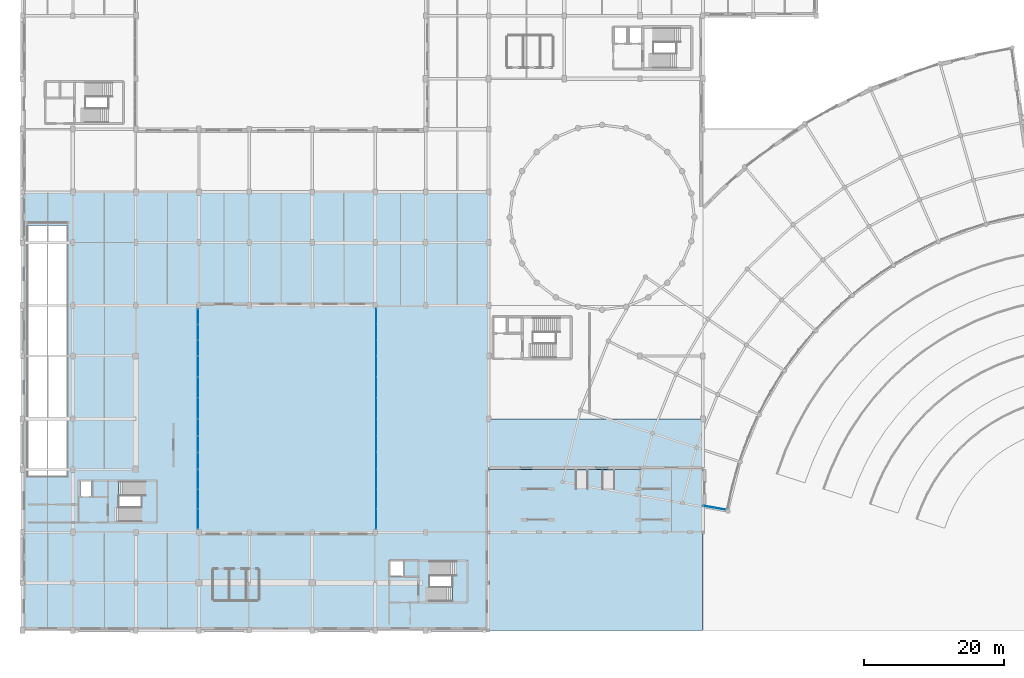
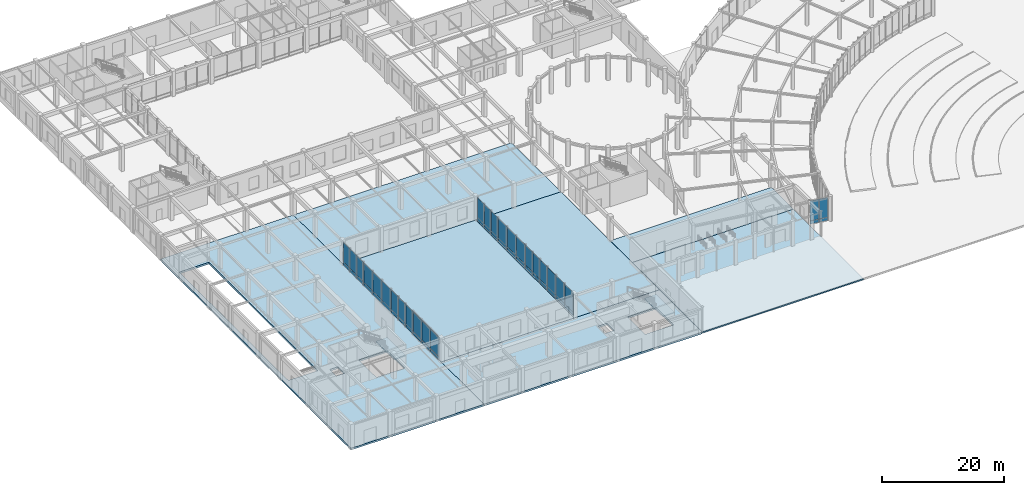
# One storey, part 39 of 64: 52 plates, 9 slabs, 11 elements without a shape of their own.
"""IFC4 building model written with IfcOpenShell, lengths in metres."""

from ifc_helpers import new_model, si_unit, direction, frame, frame_2d, origin, place, context, subcontext, project, spatial, polyline, rectangle, outline, extrude, material, layer, layer_set, type_object, element, aggregate, save


model = new_model("IFC4")

# Units and contexts
model_context = context("Model", 3, precision=1e-05, world=origin(), true_north=direction((0.0, 1.0)))
body_context = subcontext(model_context, "Body", "Model", "MODEL_VIEW")
ifc_project = project(units=[si_unit("LENGTHUNIT", "METRE"), si_unit("AREAUNIT", "SQUARE_METRE"), si_unit("VOLUMEUNIT", "CUBIC_METRE"), si_unit("PLANEANGLEUNIT", "RADIAN"), si_unit("MASSUNIT", "GRAM", prefix="KILO")], contexts=[model_context])

# Site, building, storey
site_placement = place(None, origin())
site = spatial("IfcSite", under=ifc_project, at=site_placement, CompositionType="ELEMENT")
building_placement = place(site_placement, origin())
building = spatial("IfcBuilding", under=site, at=building_placement, Name="Clarverna Civic Hall", CompositionType="ELEMENT")
storey_placement = place(building_placement, origin())
storey = spatial("IfcBuildingStorey", under=building, at=storey_placement, Name="L00", CompositionType="ELEMENT", Elevation=0.0)

# Curtain wall, plates
ifc_material_1 = material(Name="Anodised Bronze Architectural Aluminium", Category="aluminium")
curtain_wall_type_1 = type_object("IfcCurtainWallType", Name="CW-03", PredefinedType="USERDEFINED", material=ifc_material_1)
curtain_wall_1_placement = place(storey_placement, origin())
curtain_wall_1 = element("IfcCurtainWall", 1, at=curtain_wall_1_placement, inside=storey, type_object=curtain_wall_type_1, Name="CW-03-026", ObjectType="UNITISED CURTAIN WALL", PredefinedType="USERDEFINED")
ifc_material_2 = material(Name="Solar-Control Argon Low-E Double Glazing", Category="glass")
ifc_layer_1 = layer(ifc_material_2, 0.031982421875)
ifc_layer_set_1 = layer_set([ifc_layer_1], Name="Solar-Control Argon Low-E Double Glazing")
plate_type_1 = type_object("IfcPlateType", Name="CWP-01", PredefinedType="CURTAIN_PANEL", material=ifc_layer_set_1)
plate_1_placement = place(storey_placement, frame((100.402587890625, 17.239990234375, 0.764892578125), z_axis=(0.0, 0.0, 1.0), x_axis=(-0.984777263654, 0.173821002728, 0.0)))
plate_1 = element("IfcPlate", 2, at=plate_1_placement, type_object=plate_type_1, Name="CWP-01-051", PredefinedType="CURTAIN_PANEL", context=body_context, shape_type="SweptSolid", body=[
    extrude(rectangle(XDim=1.561767578125, YDim=0.031982421875, at=frame_2d((0.78076171875, 0.0))), origin(), (0.0, 0.0, 1.0), 3.985107421875),
])
plate_2_placement = place(storey_placement, frame((98.8349609375, 17.5166015625, 0.764892578125), z_axis=(0.0, 0.0, 1.0), x_axis=(-0.984808723363, 0.173642674442, 0.0)))
plate_2 = element("IfcPlate", 3, at=plate_2_placement, type_object=plate_type_1, Name="CWP-01-052", PredefinedType="CURTAIN_PANEL", context=body_context, shape_type="SweptSolid", body=[
    extrude(rectangle(XDim=1.56201171875, YDim=0.031982421875, at=frame_2d((0.781005859375, 0.0))), origin(), (0.0, 0.0, 1.0), 3.985107421875),
])

curtain_wall_type_2 = type_object("IfcCurtainWallType", Name="CW-04", PredefinedType="USERDEFINED", material=ifc_material_1)
curtain_wall_2_placement = place(storey_placement, origin())
curtain_wall_2 = element("IfcCurtainWall", 4, at=curtain_wall_2_placement, inside=storey, type_object=curtain_wall_type_2, Name="CW-04-010", ObjectType="UNITISED CURTAIN WALL", PredefinedType="USERDEFINED")
plate_3_placement = place(storey_placement, frame((50.5400390625, 14.5380859375, 0.764892578125), z_axis=(0.0, 0.0, 1.0), x_axis=(0.0, 1.0, 0.0)))
plate_3 = element("IfcPlate", 5, at=plate_3_placement, type_object=plate_type_1, Name="CWP-01-079", PredefinedType="CURTAIN_PANEL", context=body_context, shape_type="SweptSolid", body=[
    extrude(rectangle(XDim=2.78466796875, YDim=0.031982421875, at=frame_2d((1.392333984375, 0.0))), origin(), (0.0, 0.0, 1.0), 3.945068359375),
])
plate_4_placement = place(storey_placement, frame((50.5400390625, 17.352783203125, 0.764892578125), z_axis=(0.0, 0.0, 1.0), x_axis=(0.0, 1.0, 0.0)))
plate_4 = element("IfcPlate", 6, at=plate_4_placement, type_object=plate_type_1, Name="CWP-01-080", PredefinedType="CURTAIN_PANEL", context=body_context, shape_type="SweptSolid", body=[
    extrude(rectangle(XDim=2.784423828125, YDim=0.031982421875, at=frame_2d((1.39208984375, 0.0))), origin(), (0.0, 0.0, 1.0), 3.945068359375),
])
plate_5_placement = place(storey_placement, frame((50.5400390625, 20.167236328125, 0.764892578125), z_axis=(0.0, 0.0, 1.0), x_axis=(0.0, 1.0, 0.0)))
plate_5 = element("IfcPlate", 7, at=plate_5_placement, type_object=plate_type_1, Name="CWP-01-081", PredefinedType="CURTAIN_PANEL", context=body_context, shape_type="SweptSolid", body=[
    extrude(rectangle(XDim=2.78466796875, YDim=0.031982421875, at=frame_2d((1.392333984375, 0.0))), origin(), (0.0, 0.0, 1.0), 3.945068359375),
])

curtain_wall_3_placement = place(storey_placement, origin())
curtain_wall_3 = element("IfcCurtainWall", 8, at=curtain_wall_3_placement, inside=storey, type_object=curtain_wall_type_2, Name="CW-04-011", ObjectType="UNITISED CURTAIN WALL", PredefinedType="USERDEFINED")
plate_6_placement = place(storey_placement, frame((50.5400390625, 23.048095703125, 0.764892578125), z_axis=(0.0, 0.0, 1.0), x_axis=(0.0, 1.0, 0.0)))
plate_6 = element("IfcPlate", 9, at=plate_6_placement, type_object=plate_type_1, Name="CWP-01-082", PredefinedType="CURTAIN_PANEL", context=body_context, shape_type="SweptSolid", body=[
    extrude(rectangle(XDim=2.347900390625, YDim=0.031982421875, at=frame_2d((1.173828125, 0.0))), origin(), (0.0, 0.0, 1.0), 3.945068359375),
])
plate_7_placement = place(storey_placement, frame((50.5400390625, 25.426025390625, 0.764892578125), z_axis=(0.0, 0.0, 1.0), x_axis=(0.0, 1.0, 0.0)))
plate_7 = element("IfcPlate", 10, at=plate_7_placement, type_object=plate_type_1, Name="CWP-01-083", PredefinedType="CURTAIN_PANEL", context=body_context, shape_type="SweptSolid", body=[
    extrude(rectangle(XDim=2.347900390625, YDim=0.031982421875, at=frame_2d((1.173828125, 0.0))), origin(), (0.0, 0.0, 1.0), 3.945068359375),
])
plate_8_placement = place(storey_placement, frame((50.5400390625, 27.803955078125, 0.764892578125), z_axis=(0.0, 0.0, 1.0), x_axis=(0.0, 1.0, 0.0)))
plate_8 = element("IfcPlate", 11, at=plate_8_placement, type_object=plate_type_1, Name="CWP-01-084", PredefinedType="CURTAIN_PANEL", context=body_context, shape_type="SweptSolid", body=[
    extrude(rectangle(XDim=2.34814453125, YDim=0.031982421875, at=frame_2d((1.174072265625, 0.0))), origin(), (0.0, 0.0, 1.0), 3.945068359375),
])

curtain_wall_4_placement = place(storey_placement, origin())
curtain_wall_4 = element("IfcCurtainWall", 12, at=curtain_wall_4_placement, inside=storey, type_object=curtain_wall_type_2, Name="CW-04-012", ObjectType="UNITISED CURTAIN WALL", PredefinedType="USERDEFINED")
plate_9_placement = place(storey_placement, frame((50.5400390625, 30.248046875, 0.764892578125), z_axis=(0.0, 0.0, 1.0), x_axis=(0.0, 1.0, 0.0)))
plate_9 = element("IfcPlate", 13, at=plate_9_placement, type_object=plate_type_1, Name="CWP-01-085", PredefinedType="CURTAIN_PANEL", context=body_context, shape_type="SweptSolid", body=[
    extrude(rectangle(XDim=2.947998046875, YDim=0.031982421875, at=frame_2d((1.47412109375, 0.0))), origin(), (0.0, 0.0, 1.0), 3.945068359375),
])
plate_10_placement = place(storey_placement, frame((50.5400390625, 33.22607421875, 0.764892578125), z_axis=(0.0, 0.0, 1.0), x_axis=(0.0, 1.0, 0.0)))
plate_10 = element("IfcPlate", 14, at=plate_10_placement, type_object=plate_type_1, Name="CWP-01-086", PredefinedType="CURTAIN_PANEL", context=body_context, shape_type="SweptSolid", body=[
    extrude(rectangle(XDim=2.947998046875, YDim=0.031982421875, at=frame_2d((1.47412109375, 0.0))), origin(), (0.0, 0.0, 1.0), 3.945068359375),
])
plate_11_placement = place(storey_placement, frame((50.5400390625, 36.2041015625, 0.764892578125), z_axis=(0.0, 0.0, 1.0), x_axis=(0.0, 1.0, 0.0)))
plate_11 = element("IfcPlate", 15, at=plate_11_placement, type_object=plate_type_1, Name="CWP-01-087", PredefinedType="CURTAIN_PANEL", context=body_context, shape_type="SweptSolid", body=[
    extrude(rectangle(XDim=2.947998046875, YDim=0.031982421875, at=frame_2d((1.47412109375, 0.0))), origin(), (0.0, 0.0, 1.0), 3.945068359375),
])

curtain_wall_5_placement = place(storey_placement, origin())
curtain_wall_5 = element("IfcCurtainWall", 16, at=curtain_wall_5_placement, inside=storey, type_object=curtain_wall_type_2, Name="CW-04-013", ObjectType="UNITISED CURTAIN WALL", PredefinedType="USERDEFINED")
plate_12_placement = place(storey_placement, frame((50.5400390625, 39.248046875, 0.764892578125), z_axis=(0.0, 0.0, 1.0), x_axis=(0.0, 1.0, 0.0)))
plate_12 = element("IfcPlate", 17, at=plate_12_placement, type_object=plate_type_1, Name="CWP-01-088", PredefinedType="CURTAIN_PANEL", context=body_context, shape_type="SweptSolid", body=[
    extrude(rectangle(XDim=2.201171875, YDim=0.031982421875, at=frame_2d((1.1005859375, 0.0))), origin(), (0.0, 0.0, 1.0), 3.945068359375),
])
plate_13_placement = place(storey_placement, frame((50.5400390625, 41.479248046875, 0.764892578125), z_axis=(0.0, 0.0, 1.0), x_axis=(0.0, 1.0, 0.0)))
plate_13 = element("IfcPlate", 18, at=plate_13_placement, type_object=plate_type_1, Name="CWP-01-089", PredefinedType="CURTAIN_PANEL", context=body_context, shape_type="SweptSolid", body=[
    extrude(rectangle(XDim=2.201416015625, YDim=0.031982421875, at=frame_2d((1.1005859375, 0.0))), origin(), (0.0, 0.0, 1.0), 3.945068359375),
])
plate_14_placement = place(storey_placement, frame((50.5400390625, 43.710693359375, 0.764892578125), z_axis=(0.0, 0.0, 1.0), x_axis=(0.0, 1.0, 0.0)))
plate_14 = element("IfcPlate", 19, at=plate_14_placement, type_object=plate_type_1, Name="CWP-01-090", PredefinedType="CURTAIN_PANEL", context=body_context, shape_type="SweptSolid", body=[
    extrude(rectangle(XDim=2.201416015625, YDim=0.031982421875, at=frame_2d((1.1005859375, 0.0))), origin(), (0.0, 0.0, 1.0), 3.945068359375),
])

curtain_wall_6_placement = place(storey_placement, origin())
curtain_wall_6 = element("IfcCurtainWall", 20, at=curtain_wall_6_placement, inside=storey, type_object=curtain_wall_type_2, Name="CW-04-014", ObjectType="UNITISED CURTAIN WALL", PredefinedType="USERDEFINED")
plate_15_placement = place(storey_placement, frame((25.06005859375, 45.886962890625, 0.764892578125), z_axis=(0.0, 0.0, 1.0), x_axis=(0.0, -1.0, 0.0)))
plate_15 = element("IfcPlate", 21, at=plate_15_placement, type_object=plate_type_1, Name="CWP-01-091", PredefinedType="CURTAIN_PANEL", context=body_context, shape_type="SweptSolid", body=[
    extrude(rectangle(XDim=2.19287109375, YDim=0.031982421875, at=frame_2d((1.096435546875, 0.0))), origin(), (0.0, 0.0, 1.0), 3.905029296875),
])
plate_16_placement = place(storey_placement, frame((25.06005859375, 43.6640625, 0.764892578125), z_axis=(0.0, 0.0, 1.0), x_axis=(0.0, -1.0, 0.0)))
plate_16 = element("IfcPlate", 22, at=plate_16_placement, type_object=plate_type_1, Name="CWP-01-092", PredefinedType="CURTAIN_PANEL", context=body_context, shape_type="SweptSolid", body=[
    extrude(rectangle(XDim=2.193115234375, YDim=0.031982421875, at=frame_2d((1.0966796875, 0.0))), origin(), (0.0, 0.0, 1.0), 3.905029296875),
])
plate_17_placement = place(storey_placement, frame((25.06005859375, 41.44091796875, 0.764892578125), z_axis=(0.0, 0.0, 1.0), x_axis=(0.0, -1.0, 0.0)))
plate_17 = element("IfcPlate", 23, at=plate_17_placement, type_object=plate_type_1, Name="CWP-01-093", PredefinedType="CURTAIN_PANEL", context=body_context, shape_type="SweptSolid", body=[
    extrude(rectangle(XDim=2.19287109375, YDim=0.031982421875, at=frame_2d((1.096435546875, 0.0))), origin(), (0.0, 0.0, 1.0), 3.905029296875),
])

curtain_wall_7_placement = place(storey_placement, origin())
curtain_wall_7 = element("IfcCurtainWall", 24, at=curtain_wall_7_placement, inside=storey, type_object=curtain_wall_type_2, Name="CW-04-015", ObjectType="UNITISED CURTAIN WALL", PredefinedType="USERDEFINED")
plate_18_placement = place(storey_placement, frame((25.06005859375, 39.152099609375, 0.764892578125), z_axis=(0.0, 0.0, 1.0), x_axis=(0.0, -1.0, 0.0)))
plate_18 = element("IfcPlate", 25, at=plate_18_placement, type_object=plate_type_1, Name="CWP-01-094", PredefinedType="CURTAIN_PANEL", context=body_context, shape_type="SweptSolid", body=[
    extrude(rectangle(XDim=2.947998046875, YDim=0.031982421875, at=frame_2d((1.47412109375, 0.0))), origin(), (0.0, 0.0, 1.0), 3.905029296875),
])
plate_19_placement = place(storey_placement, frame((25.06005859375, 36.174072265625, 0.764892578125), z_axis=(0.0, 0.0, 1.0), x_axis=(0.0, -1.0, 0.0)))
plate_19 = element("IfcPlate", 26, at=plate_19_placement, type_object=plate_type_1, Name="CWP-01-095", PredefinedType="CURTAIN_PANEL", context=body_context, shape_type="SweptSolid", body=[
    extrude(rectangle(XDim=2.947998046875, YDim=0.031982421875, at=frame_2d((1.47412109375, 0.0))), origin(), (0.0, 0.0, 1.0), 3.905029296875),
])
plate_20_placement = place(storey_placement, frame((25.06005859375, 33.196044921875, 0.764892578125), z_axis=(0.0, 0.0, 1.0), x_axis=(0.0, -1.0, 0.0)))
plate_20 = element("IfcPlate", 27, at=plate_20_placement, type_object=plate_type_1, Name="CWP-01-096", PredefinedType="CURTAIN_PANEL", context=body_context, shape_type="SweptSolid", body=[
    extrude(rectangle(XDim=2.947998046875, YDim=0.031982421875, at=frame_2d((1.47412109375, 0.0))), origin(), (0.0, 0.0, 1.0), 3.905029296875),
])

curtain_wall_8_placement = place(storey_placement, origin())
curtain_wall_8 = element("IfcCurtainWall", 28, at=curtain_wall_8_placement, inside=storey, type_object=curtain_wall_type_2, Name="CW-04-016", ObjectType="UNITISED CURTAIN WALL", PredefinedType="USERDEFINED")
plate_21_placement = place(storey_placement, frame((25.06005859375, 30.152099609375, 0.764892578125), z_axis=(0.0, 0.0, 1.0), x_axis=(0.0, -1.0, 0.0)))
plate_21 = element("IfcPlate", 29, at=plate_21_placement, type_object=plate_type_1, Name="CWP-01-097", PredefinedType="CURTAIN_PANEL", context=body_context, shape_type="SweptSolid", body=[
    extrude(rectangle(XDim=2.34814453125, YDim=0.031982421875, at=frame_2d((1.174072265625, 0.0))), origin(), (0.0, 0.0, 1.0), 3.905029296875),
])
plate_22_placement = place(storey_placement, frame((25.06005859375, 27.77392578125, 0.764892578125), z_axis=(0.0, 0.0, 1.0), x_axis=(0.0, -1.0, 0.0)))
plate_22 = element("IfcPlate", 30, at=plate_22_placement, type_object=plate_type_1, Name="CWP-01-098", PredefinedType="CURTAIN_PANEL", context=body_context, shape_type="SweptSolid", body=[
    extrude(rectangle(XDim=2.347900390625, YDim=0.031982421875, at=frame_2d((1.173828125, 0.0))), origin(), (0.0, 0.0, 1.0), 3.905029296875),
])
plate_23_placement = place(storey_placement, frame((25.06005859375, 25.39599609375, 0.764892578125), z_axis=(0.0, 0.0, 1.0), x_axis=(0.0, -1.0, 0.0)))
plate_23 = element("IfcPlate", 31, at=plate_23_placement, type_object=plate_type_1, Name="CWP-01-099", PredefinedType="CURTAIN_PANEL", context=body_context, shape_type="SweptSolid", body=[
    extrude(rectangle(XDim=2.347900390625, YDim=0.031982421875, at=frame_2d((1.173828125, 0.0))), origin(), (0.0, 0.0, 1.0), 3.905029296875),
])

curtain_wall_9_placement = place(storey_placement, origin())
curtain_wall_9 = element("IfcCurtainWall", 32, at=curtain_wall_9_placement, inside=storey, type_object=curtain_wall_type_2, Name="CW-04-017", ObjectType="UNITISED CURTAIN WALL", PredefinedType="USERDEFINED")
plate_24_placement = place(storey_placement, frame((25.06005859375, 22.951904296875, 0.764892578125), z_axis=(0.0, 0.0, 1.0), x_axis=(0.0, -1.0, 0.0)))
plate_24 = element("IfcPlate", 33, at=plate_24_placement, type_object=plate_type_1, Name="CWP-01-100", PredefinedType="CURTAIN_PANEL", context=body_context, shape_type="SweptSolid", body=[
    extrude(rectangle(XDim=2.78466796875, YDim=0.031982421875, at=frame_2d((1.392333984375, 0.0))), origin(), (0.0, 0.0, 1.0), 3.905029296875),
])
plate_25_placement = place(storey_placement, frame((25.06005859375, 20.13720703125, 0.764892578125), z_axis=(0.0, 0.0, 1.0), x_axis=(0.0, -1.0, 0.0)))
plate_25 = element("IfcPlate", 34, at=plate_25_placement, type_object=plate_type_1, Name="CWP-01-101", PredefinedType="CURTAIN_PANEL", context=body_context, shape_type="SweptSolid", body=[
    extrude(rectangle(XDim=2.784423828125, YDim=0.031982421875, at=frame_2d((1.39208984375, 0.0))), origin(), (0.0, 0.0, 1.0), 3.905029296875),
])
plate_26_placement = place(storey_placement, frame((25.06005859375, 17.32275390625, 0.764892578125), z_axis=(0.0, 0.0, 1.0), x_axis=(0.0, -1.0, 0.0)))
plate_26 = element("IfcPlate", 35, at=plate_26_placement, type_object=plate_type_1, Name="CWP-01-102", PredefinedType="CURTAIN_PANEL", context=body_context, shape_type="SweptSolid", body=[
    extrude(rectangle(XDim=2.78466796875, YDim=0.031982421875, at=frame_2d((1.392333984375, 0.0))), origin(), (0.0, 0.0, 1.0), 3.905029296875),
])

# Plate
ifc_material_3 = material(Name="Insulated Anodised Bronze Spandrel Panel", Category="aluminium")
ifc_layer_2 = layer(ifc_material_3, 0.048095703125)
ifc_layer_set_2 = layer_set([ifc_layer_2], Name="Insulated Anodised Bronze Spandrel Panel")
plate_type_2 = type_object("IfcPlateType", Name="CWP-03", PredefinedType="CURTAIN_PANEL", material=ifc_layer_set_2)
plate_27_placement = place(storey_placement, frame((100.402587890625, 17.239990234375, 0.110107421875), z_axis=(0.0, 0.0, 1.0), x_axis=(-0.984777263654, 0.173821002728, 0.0)))
plate_27 = element("IfcPlate", 36, at=plate_27_placement, type_object=plate_type_2, Name="CWP-03-053", PredefinedType="CURTAIN_PANEL", context=body_context, shape_type="SweptSolid", body=[
    extrude(rectangle(XDim=1.561767578125, YDim=0.048095703125, at=frame_2d((0.78076171875, 0.0))), origin(), (0.0, 0.0, 1.0), 0.625),
])

plate_28_placement = place(storey_placement, frame((98.8349609375, 17.5166015625, 0.110107421875), z_axis=(0.0, 0.0, 1.0), x_axis=(-0.984808723363, 0.173642674442, 0.0)))
plate_28 = element("IfcPlate", 37, at=plate_28_placement, type_object=plate_type_2, Name="CWP-03-054", PredefinedType="CURTAIN_PANEL", context=body_context, shape_type="SweptSolid", body=[
    extrude(rectangle(XDim=1.56201171875, YDim=0.048095703125, at=frame_2d((0.781005859375, 0.0))), origin(), (0.0, 0.0, 1.0), 0.625),
])

aggregate(curtain_wall_1, [plate_27, plate_1, plate_28, plate_2])

plate_29_placement = place(storey_placement, frame((50.5400390625, 14.5380859375, 0.110107421875), z_axis=(0.0, 0.0, 1.0), x_axis=(0.0, 1.0, 0.0)))
plate_29 = element("IfcPlate", 38, at=plate_29_placement, type_object=plate_type_2, Name="CWP-03-081", PredefinedType="CURTAIN_PANEL", context=body_context, shape_type="SweptSolid", body=[
    extrude(rectangle(XDim=2.78466796875, YDim=0.048095703125, at=frame_2d((1.392333984375, 0.0))), origin(), (0.0, 0.0, 1.0), 0.625),
])

plate_30_placement = place(storey_placement, frame((50.5400390625, 17.352783203125, 0.110107421875), z_axis=(0.0, 0.0, 1.0), x_axis=(0.0, 1.0, 0.0)))
plate_30 = element("IfcPlate", 39, at=plate_30_placement, type_object=plate_type_2, Name="CWP-03-082", PredefinedType="CURTAIN_PANEL", context=body_context, shape_type="SweptSolid", body=[
    extrude(rectangle(XDim=2.784423828125, YDim=0.048095703125, at=frame_2d((1.39208984375, 0.0))), origin(), (0.0, 0.0, 1.0), 0.625),
])

plate_31_placement = place(storey_placement, frame((50.5400390625, 20.167236328125, 0.110107421875), z_axis=(0.0, 0.0, 1.0), x_axis=(0.0, 1.0, 0.0)))
plate_31 = element("IfcPlate", 40, at=plate_31_placement, type_object=plate_type_2, Name="CWP-03-083", PredefinedType="CURTAIN_PANEL", context=body_context, shape_type="SweptSolid", body=[
    extrude(rectangle(XDim=2.78466796875, YDim=0.048095703125, at=frame_2d((1.392333984375, 0.0))), origin(), (0.0, 0.0, 1.0), 0.625),
])

aggregate(curtain_wall_2, [plate_29, plate_3, plate_30, plate_4, plate_31, plate_5])

plate_32_placement = place(storey_placement, frame((50.5400390625, 23.048095703125, 0.110107421875), z_axis=(0.0, 0.0, 1.0), x_axis=(0.0, 1.0, 0.0)))
plate_32 = element("IfcPlate", 41, at=plate_32_placement, type_object=plate_type_2, Name="CWP-03-084", PredefinedType="CURTAIN_PANEL", context=body_context, shape_type="SweptSolid", body=[
    extrude(rectangle(XDim=2.347900390625, YDim=0.048095703125, at=frame_2d((1.173828125, 0.0))), origin(), (0.0, 0.0, 1.0), 0.625),
])

plate_33_placement = place(storey_placement, frame((50.5400390625, 25.426025390625, 0.110107421875), z_axis=(0.0, 0.0, 1.0), x_axis=(0.0, 1.0, 0.0)))
plate_33 = element("IfcPlate", 42, at=plate_33_placement, type_object=plate_type_2, Name="CWP-03-085", PredefinedType="CURTAIN_PANEL", context=body_context, shape_type="SweptSolid", body=[
    extrude(rectangle(XDim=2.347900390625, YDim=0.048095703125, at=frame_2d((1.173828125, 0.0))), origin(), (0.0, 0.0, 1.0), 0.625),
])

plate_34_placement = place(storey_placement, frame((50.5400390625, 27.803955078125, 0.110107421875), z_axis=(0.0, 0.0, 1.0), x_axis=(0.0, 1.0, 0.0)))
plate_34 = element("IfcPlate", 43, at=plate_34_placement, type_object=plate_type_2, Name="CWP-03-086", PredefinedType="CURTAIN_PANEL", context=body_context, shape_type="SweptSolid", body=[
    extrude(rectangle(XDim=2.34814453125, YDim=0.048095703125, at=frame_2d((1.174072265625, 0.0))), origin(), (0.0, 0.0, 1.0), 0.625),
])

aggregate(curtain_wall_3, [plate_32, plate_6, plate_33, plate_7, plate_34, plate_8])

plate_35_placement = place(storey_placement, frame((50.5400390625, 30.248046875, 0.110107421875), z_axis=(0.0, 0.0, 1.0), x_axis=(0.0, 1.0, 0.0)))
plate_35 = element("IfcPlate", 44, at=plate_35_placement, type_object=plate_type_2, Name="CWP-03-087", PredefinedType="CURTAIN_PANEL", context=body_context, shape_type="SweptSolid", body=[
    extrude(rectangle(XDim=2.947998046875, YDim=0.048095703125, at=frame_2d((1.47412109375, 0.0))), origin(), (0.0, 0.0, 1.0), 0.625),
])

plate_36_placement = place(storey_placement, frame((50.5400390625, 33.22607421875, 0.110107421875), z_axis=(0.0, 0.0, 1.0), x_axis=(0.0, 1.0, 0.0)))
plate_36 = element("IfcPlate", 45, at=plate_36_placement, type_object=plate_type_2, Name="CWP-03-088", PredefinedType="CURTAIN_PANEL", context=body_context, shape_type="SweptSolid", body=[
    extrude(rectangle(XDim=2.947998046875, YDim=0.048095703125, at=frame_2d((1.47412109375, 0.0))), origin(), (0.0, 0.0, 1.0), 0.625),
])

plate_37_placement = place(storey_placement, frame((50.5400390625, 36.2041015625, 0.110107421875), z_axis=(0.0, 0.0, 1.0), x_axis=(0.0, 1.0, 0.0)))
plate_37 = element("IfcPlate", 46, at=plate_37_placement, type_object=plate_type_2, Name="CWP-03-089", PredefinedType="CURTAIN_PANEL", context=body_context, shape_type="SweptSolid", body=[
    extrude(rectangle(XDim=2.947998046875, YDim=0.048095703125, at=frame_2d((1.47412109375, 0.0))), origin(), (0.0, 0.0, 1.0), 0.625),
])

aggregate(curtain_wall_4, [plate_35, plate_9, plate_36, plate_10, plate_37, plate_11])

plate_38_placement = place(storey_placement, frame((50.5400390625, 39.248046875, 0.110107421875), z_axis=(0.0, 0.0, 1.0), x_axis=(0.0, 1.0, 0.0)))
plate_38 = element("IfcPlate", 47, at=plate_38_placement, type_object=plate_type_2, Name="CWP-03-090", PredefinedType="CURTAIN_PANEL", context=body_context, shape_type="SweptSolid", body=[
    extrude(rectangle(XDim=2.201171875, YDim=0.048095703125, at=frame_2d((1.1005859375, 0.0))), origin(), (0.0, 0.0, 1.0), 0.625),
])

plate_39_placement = place(storey_placement, frame((50.5400390625, 41.479248046875, 0.110107421875), z_axis=(0.0, 0.0, 1.0), x_axis=(0.0, 1.0, 0.0)))
plate_39 = element("IfcPlate", 48, at=plate_39_placement, type_object=plate_type_2, Name="CWP-03-091", PredefinedType="CURTAIN_PANEL", context=body_context, shape_type="SweptSolid", body=[
    extrude(rectangle(XDim=2.201416015625, YDim=0.048095703125, at=frame_2d((1.1005859375, 0.0))), origin(), (0.0, 0.0, 1.0), 0.625),
])

plate_40_placement = place(storey_placement, frame((50.5400390625, 43.710693359375, 0.110107421875), z_axis=(0.0, 0.0, 1.0), x_axis=(0.0, 1.0, 0.0)))
plate_40 = element("IfcPlate", 49, at=plate_40_placement, type_object=plate_type_2, Name="CWP-03-092", PredefinedType="CURTAIN_PANEL", context=body_context, shape_type="SweptSolid", body=[
    extrude(rectangle(XDim=2.201416015625, YDim=0.048095703125, at=frame_2d((1.1005859375, 0.0))), origin(), (0.0, 0.0, 1.0), 0.625),
])

aggregate(curtain_wall_5, [plate_38, plate_12, plate_39, plate_13, plate_40, plate_14])

plate_41_placement = place(storey_placement, frame((25.06005859375, 45.886962890625, 0.110107421875), z_axis=(0.0, 0.0, 1.0), x_axis=(0.0, -1.0, 0.0)))
plate_41 = element("IfcPlate", 50, at=plate_41_placement, type_object=plate_type_2, Name="CWP-03-093", PredefinedType="CURTAIN_PANEL", context=body_context, shape_type="SweptSolid", body=[
    extrude(rectangle(XDim=2.19287109375, YDim=0.048095703125, at=frame_2d((1.096435546875, 0.0))), origin(), (0.0, 0.0, 1.0), 0.625),
])

plate_42_placement = place(storey_placement, frame((25.06005859375, 43.6640625, 0.110107421875), z_axis=(0.0, 0.0, 1.0), x_axis=(0.0, -1.0, 0.0)))
plate_42 = element("IfcPlate", 51, at=plate_42_placement, type_object=plate_type_2, Name="CWP-03-094", PredefinedType="CURTAIN_PANEL", context=body_context, shape_type="SweptSolid", body=[
    extrude(rectangle(XDim=2.193115234375, YDim=0.048095703125, at=frame_2d((1.0966796875, 0.0))), origin(), (0.0, 0.0, 1.0), 0.625),
])

plate_43_placement = place(storey_placement, frame((25.06005859375, 41.44091796875, 0.110107421875), z_axis=(0.0, 0.0, 1.0), x_axis=(0.0, -1.0, 0.0)))
plate_43 = element("IfcPlate", 52, at=plate_43_placement, type_object=plate_type_2, Name="CWP-03-095", PredefinedType="CURTAIN_PANEL", context=body_context, shape_type="SweptSolid", body=[
    extrude(rectangle(XDim=2.19287109375, YDim=0.048095703125, at=frame_2d((1.096435546875, 0.0))), origin(), (0.0, 0.0, 1.0), 0.625),
])

aggregate(curtain_wall_6, [plate_41, plate_15, plate_42, plate_16, plate_43, plate_17])

plate_44_placement = place(storey_placement, frame((25.06005859375, 39.152099609375, 0.110107421875), z_axis=(0.0, 0.0, 1.0), x_axis=(0.0, -1.0, 0.0)))
plate_44 = element("IfcPlate", 53, at=plate_44_placement, type_object=plate_type_2, Name="CWP-03-096", PredefinedType="CURTAIN_PANEL", context=body_context, shape_type="SweptSolid", body=[
    extrude(rectangle(XDim=2.947998046875, YDim=0.048095703125, at=frame_2d((1.47412109375, 0.0))), origin(), (0.0, 0.0, 1.0), 0.625),
])

plate_45_placement = place(storey_placement, frame((25.06005859375, 36.174072265625, 0.110107421875), z_axis=(0.0, 0.0, 1.0), x_axis=(0.0, -1.0, 0.0)))
plate_45 = element("IfcPlate", 54, at=plate_45_placement, type_object=plate_type_2, Name="CWP-03-097", PredefinedType="CURTAIN_PANEL", context=body_context, shape_type="SweptSolid", body=[
    extrude(rectangle(XDim=2.947998046875, YDim=0.048095703125, at=frame_2d((1.47412109375, 0.0))), origin(), (0.0, 0.0, 1.0), 0.625),
])

plate_46_placement = place(storey_placement, frame((25.06005859375, 33.196044921875, 0.110107421875), z_axis=(0.0, 0.0, 1.0), x_axis=(0.0, -1.0, 0.0)))
plate_46 = element("IfcPlate", 55, at=plate_46_placement, type_object=plate_type_2, Name="CWP-03-098", PredefinedType="CURTAIN_PANEL", context=body_context, shape_type="SweptSolid", body=[
    extrude(rectangle(XDim=2.947998046875, YDim=0.048095703125, at=frame_2d((1.47412109375, 0.0))), origin(), (0.0, 0.0, 1.0), 0.625),
])

aggregate(curtain_wall_7, [plate_44, plate_18, plate_45, plate_19, plate_46, plate_20])

plate_47_placement = place(storey_placement, frame((25.06005859375, 30.152099609375, 0.110107421875), z_axis=(0.0, 0.0, 1.0), x_axis=(0.0, -1.0, 0.0)))
plate_47 = element("IfcPlate", 56, at=plate_47_placement, type_object=plate_type_2, Name="CWP-03-099", PredefinedType="CURTAIN_PANEL", context=body_context, shape_type="SweptSolid", body=[
    extrude(rectangle(XDim=2.34814453125, YDim=0.048095703125, at=frame_2d((1.174072265625, 0.0))), origin(), (0.0, 0.0, 1.0), 0.625),
])

plate_48_placement = place(storey_placement, frame((25.06005859375, 27.77392578125, 0.110107421875), z_axis=(0.0, 0.0, 1.0), x_axis=(0.0, -1.0, 0.0)))
plate_48 = element("IfcPlate", 57, at=plate_48_placement, type_object=plate_type_2, Name="CWP-03-100", PredefinedType="CURTAIN_PANEL", context=body_context, shape_type="SweptSolid", body=[
    extrude(rectangle(XDim=2.347900390625, YDim=0.048095703125, at=frame_2d((1.173828125, 0.0))), origin(), (0.0, 0.0, 1.0), 0.625),
])

plate_49_placement = place(storey_placement, frame((25.06005859375, 25.39599609375, 0.110107421875), z_axis=(0.0, 0.0, 1.0), x_axis=(0.0, -1.0, 0.0)))
plate_49 = element("IfcPlate", 58, at=plate_49_placement, type_object=plate_type_2, Name="CWP-03-101", PredefinedType="CURTAIN_PANEL", context=body_context, shape_type="SweptSolid", body=[
    extrude(rectangle(XDim=2.347900390625, YDim=0.048095703125, at=frame_2d((1.173828125, 0.0))), origin(), (0.0, 0.0, 1.0), 0.625),
])

aggregate(curtain_wall_8, [plate_47, plate_21, plate_48, plate_22, plate_49, plate_23])

plate_50_placement = place(storey_placement, frame((25.06005859375, 22.951904296875, 0.110107421875), z_axis=(0.0, 0.0, 1.0), x_axis=(0.0, -1.0, 0.0)))
plate_50 = element("IfcPlate", 59, at=plate_50_placement, type_object=plate_type_2, Name="CWP-03-102", PredefinedType="CURTAIN_PANEL", context=body_context, shape_type="SweptSolid", body=[
    extrude(rectangle(XDim=2.78466796875, YDim=0.048095703125, at=frame_2d((1.392333984375, 0.0))), origin(), (0.0, 0.0, 1.0), 0.625),
])

plate_51_placement = place(storey_placement, frame((25.06005859375, 20.13720703125, 0.110107421875), z_axis=(0.0, 0.0, 1.0), x_axis=(0.0, -1.0, 0.0)))
plate_51 = element("IfcPlate", 60, at=plate_51_placement, type_object=plate_type_2, Name="CWP-03-103", PredefinedType="CURTAIN_PANEL", context=body_context, shape_type="SweptSolid", body=[
    extrude(rectangle(XDim=2.784423828125, YDim=0.048095703125, at=frame_2d((1.39208984375, 0.0))), origin(), (0.0, 0.0, 1.0), 0.625),
])

plate_52_placement = place(storey_placement, frame((25.06005859375, 17.32275390625, 0.110107421875), z_axis=(0.0, 0.0, 1.0), x_axis=(0.0, -1.0, 0.0)))
plate_52 = element("IfcPlate", 61, at=plate_52_placement, type_object=plate_type_2, Name="CWP-03-104", PredefinedType="CURTAIN_PANEL", context=body_context, shape_type="SweptSolid", body=[
    extrude(rectangle(XDim=2.78466796875, YDim=0.048095703125, at=frame_2d((1.392333984375, 0.0))), origin(), (0.0, 0.0, 1.0), 0.625),
])

aggregate(curtain_wall_9, [plate_50, plate_24, plate_51, plate_25, plate_52, plate_26])

# Slabs
ifc_material_4 = material(Name="Concrete C30/37", Category="concrete")
ifc_layer_3 = layer(ifc_material_4, 0.360107421875)
ifc_layer_set_3 = layer_set([ifc_layer_3], Name="Concrete C30/37")
slab_type_1 = type_object("IfcSlabType", Name="SL-FL1", PredefinedType="FLOOR", material=ifc_layer_set_3)
slab_1_placement = place(storey_placement, frame((0.0, 0.0, -0.360107421875)))
element("IfcSlab", 62, at=slab_1_placement, inside=storey, type_object=slab_type_1, Name="SL-FL1-012", PredefinedType="FLOOR", context=body_context, shape_type="SweptSolid", body=[
    extrude(outline(polyline([(0.0, 0.0), (25.199951171875, 0.0), (25.199951171875, 62.60009765625), (16.199951171875, 62.60009765625), (0.0, 62.60009765625), (0.0, 0.0)]), holes=[polyline([(0.800048828125, 22.0), (6.39990234375, 22.0), (6.39990234375, 57.800048828125), (0.800048828125, 57.800048828125), (0.800048828125, 22.0)]), polyline([(13.75, 15.52001953125), (19.14990234375, 15.52001953125), (19.14990234375, 21.280029296875), (13.75, 21.280029296875), (13.75, 15.52001953125)]), polyline([(8.27001953125, 19.139892578125), (9.830078125, 19.139892578125), (9.830078125, 21.300048828125), (8.27001953125, 21.300048828125), (8.27001953125, 19.139892578125)])]), origin(), (0.0, 0.0, 1.0), 0.360107421875),
])
slab_2_placement = place(storey_placement, frame((0.0, 0.0, -0.360107421875)))
element("IfcSlab", 63, at=slab_2_placement, inside=storey, type_object=slab_type_1, Name="SL-FL1-013", PredefinedType="FLOOR", context=body_context, shape_type="SweptSolid", body=[
    extrude(outline(polyline([(25.199951171875, 0.0), (66.574951171875, 0.0), (66.574951171875, 14.0), (25.199951171875, 14.0), (25.199951171875, 0.0)]), holes=[polyline([(58.14990234375, 4.1201171875), (63.550048828125, 4.1201171875), (63.550048828125, 9.8798828125), (58.14990234375, 9.8798828125), (58.14990234375, 4.1201171875)]), polyline([(52.570068359375, 7.639892578125), (54.330078125, 7.639892578125), (54.330078125, 10.0), (52.570068359375, 10.0), (52.570068359375, 7.639892578125)])]), origin(), (0.0, 0.0, 1.0), 0.360107421875),
])
slab_3_placement = place(storey_placement, frame((0.0, 0.0, -0.360107421875)))
element("IfcSlab", 64, at=slab_3_placement, inside=storey, type_object=slab_type_1, Name="SL-FL1-014", PredefinedType="FLOOR", context=body_context, shape_type="SweptSolid", body=[
    extrude(outline(polyline([(25.199951171875, 46.39990234375), (66.574951171875, 46.39990234375), (66.574951171875, 62.60009765625), (25.199951171875, 62.60009765625), (25.199951171875, 46.39990234375)])), origin(), (0.0, 0.0, 1.0), 0.360107421875),
])
slab_4_placement = place(storey_placement, frame((0.0, 0.0, -0.360107421875)))
element("IfcSlab", 65, at=slab_4_placement, inside=storey, type_object=slab_type_1, Name="SL-FL1-015", PredefinedType="FLOOR", context=body_context, shape_type="SweptSolid", body=[
    extrude(outline(polyline([(50.39990234375, 14.0), (66.574951171875, 14.0), (66.574951171875, 46.39990234375), (50.39990234375, 46.39990234375), (50.39990234375, 14.0)])), origin(), (0.0, 0.0, 1.0), 0.360107421875),
])
slab_5_placement = place(storey_placement, frame((0.0, 0.0, -0.360107421875)))
element("IfcSlab", 66, at=slab_5_placement, inside=storey, type_object=slab_type_1, Name="SL-FL1-016", PredefinedType="FLOOR", context=body_context, shape_type="SweptSolid", body=[
    extrude(outline(polyline([(97.175048828125, 30.199951171875), (66.625, 30.199951171875), (66.625, 23.0), (97.175048828125, 23.0), (97.175048828125, 30.199951171875)])), origin(), (0.0, 0.0, 1.0), 0.360107421875),
])

# Stair, slab
stair_type = type_object("IfcStairType", Name="ST-U1", PredefinedType="HALF_TURN_STAIR", material=ifc_material_4)
stair_1_placement = place(storey_placement, origin())
stair_1 = element("IfcStair", 67, at=stair_1_placement, inside=storey, type_object=stair_type, Name="ST-U1:L00:0009", PredefinedType="HALF_TURN_STAIR")
ifc_layer_4 = layer(ifc_material_4, 0.199951171875)
ifc_layer_set_4 = layer_set([ifc_layer_4], Name="Concrete C30/37")
slab_type_2 = type_object("IfcSlabType", Name="SL-LD1", PredefinedType="LANDING", material=ifc_layer_set_4)
slab_6_placement = place(storey_placement, frame((0.0, 0.0, 2.35009765625)))
slab_6 = element("IfcSlab", 68, at=slab_6_placement, type_object=slab_type_2, Name="SL-LD1-031", PredefinedType="LANDING", context=body_context, shape_type="SweptSolid", body=[
    extrude(outline(polyline([(61.419921875, 4.02001953125), (63.64990234375, 4.02001953125), (63.64990234375, 9.97998046875), (61.419921875, 9.97998046875), (61.419921875, 4.02001953125)])), origin(), (0.0, 0.0, 1.0), 0.199951171875),
])
aggregate(stair_1, [slab_6])

stair_2_placement = place(storey_placement, origin())
stair_2 = element("IfcStair", 69, at=stair_2_placement, inside=storey, type_object=stair_type, Name="ST-U1:L00:0011", PredefinedType="HALF_TURN_STAIR")
slab_7_placement = place(storey_placement, frame((0.0, 0.0, 2.35009765625)))
slab_7 = element("IfcSlab", 70, at=slab_7_placement, type_object=slab_type_2, Name="SL-LD1-035", PredefinedType="LANDING", context=body_context, shape_type="SweptSolid", body=[
    extrude(outline(polyline([(17.02001953125, 15.419921875), (19.25, 15.419921875), (19.25, 21.3798828125), (17.02001953125, 21.3798828125), (17.02001953125, 15.419921875)])), origin(), (0.0, 0.0, 1.0), 0.199951171875),
])
aggregate(stair_2, [slab_7])

# Slabs
ifc_layer_5 = layer(ifc_material_4, 0.25)
ifc_layer_set_5 = layer_set([ifc_layer_5], Name="Concrete C30/37")
slab_type_3 = type_object("IfcSlabType", Name="SL-TR2", PredefinedType="FLOOR", material=ifc_layer_set_5)
slab_8_placement = place(storey_placement, frame((0.0, 0.0, -0.25)))
element("IfcSlab", 71, at=slab_8_placement, inside=storey, type_object=slab_type_3, Name="SL-TR2-001", PredefinedType="FLOOR", context=body_context, shape_type="SweptSolid", body=[
    extrude(outline(polyline([(97.175048828125, 23.0), (66.625, 23.0), (66.625, 0.0), (97.175048828125, 0.0), (97.175048828125, 23.0)])), origin(), (0.0, 0.0, 1.0), 0.25),
])
slab_9_placement = place(storey_placement, frame((0.0, 0.0, -0.25)))
element("IfcSlab", 72, at=slab_9_placement, inside=storey, type_object=slab_type_3, Name="SL-TR2-003", PredefinedType="FLOOR", context=body_context, shape_type="SweptSolid", body=[
    extrude(outline(polyline([(25.199951171875, 14.0), (50.39990234375, 14.0), (50.39990234375, 46.39990234375), (25.199951171875, 46.39990234375), (25.199951171875, 14.0)])), origin(), (0.0, 0.0, 1.0), 0.25),
])

save(model, "model.ifc")
